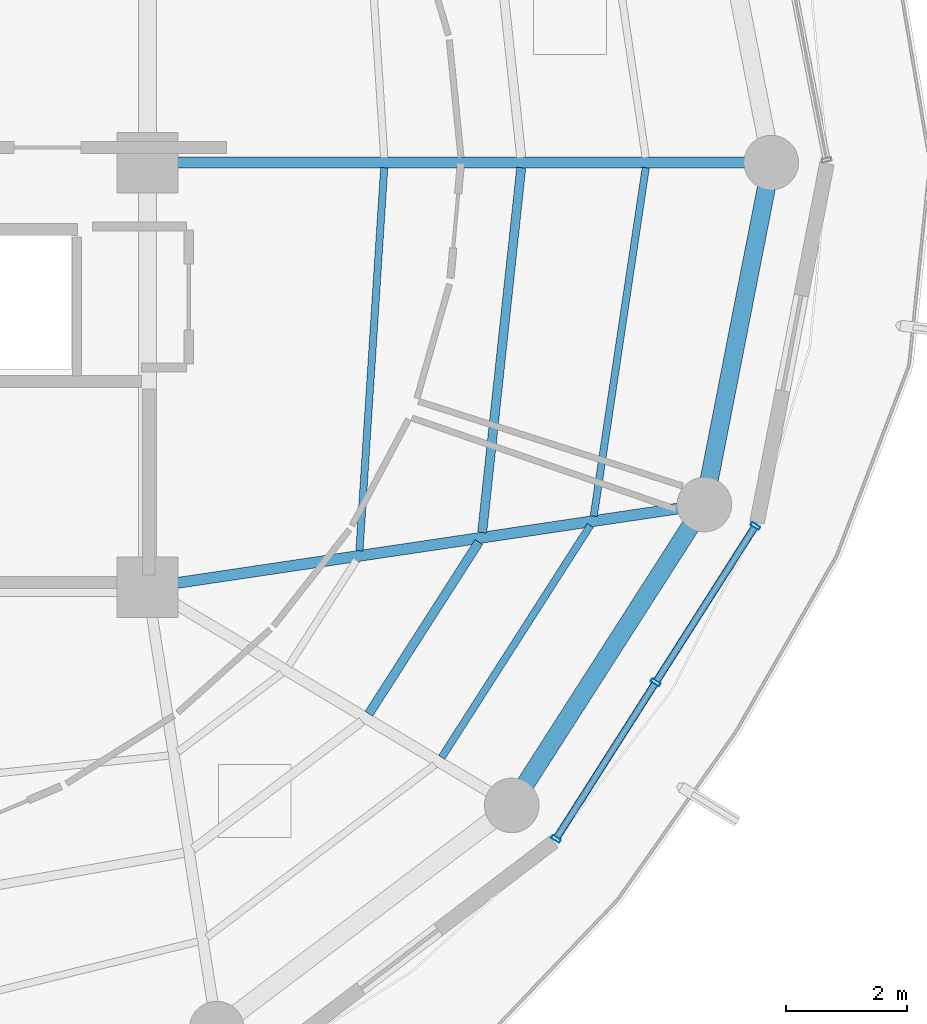
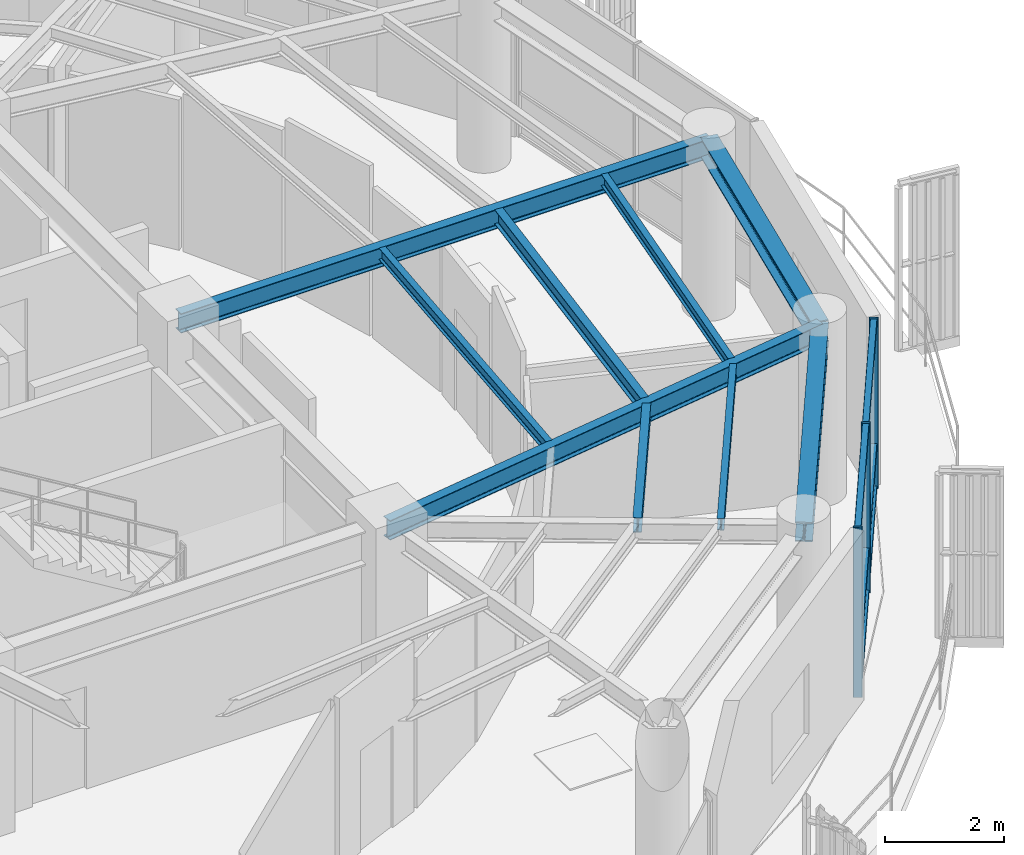
# One storey, part 10 of 23: 9 beams, 9 members, 1 element without a shape of its own.
"""IFC4 building model written with IfcOpenShell, lengths in metres."""

from ifc_helpers import new_model, si_unit, direction, frame, origin, origin_2d, place, context, subcontext, project, spatial, hollow_rectangle, i_section, extrude, material, layer, layer_set, material_profile, profile_set, type_object, element, aggregate, save


model = new_model("IFC4")

# Units and contexts
model_context = context("Model", 3, precision=1e-05, world=origin(), true_north=direction((0.0, 1.0)))
body_context = subcontext(model_context, "Body", "Model", "MODEL_VIEW")
ifc_project = project(units=[si_unit("LENGTHUNIT", "METRE"), si_unit("AREAUNIT", "SQUARE_METRE"), si_unit("VOLUMEUNIT", "CUBIC_METRE"), si_unit("PLANEANGLEUNIT", "RADIAN"), si_unit("MASSUNIT", "GRAM", prefix="KILO")], contexts=[model_context])

# Site, building, storey
site_placement = place(None, origin())
site = spatial("IfcSite", under=ifc_project, at=site_placement, CompositionType="ELEMENT")
building_placement = place(site_placement, origin())
building = spatial("IfcBuilding", under=site, at=building_placement, Name="Kelanora Arch Commons", CompositionType="ELEMENT")
storey_placement = place(building_placement, frame((0.0, 0.0, 286.199951171875)))
storey = spatial("IfcBuildingStorey", under=building, at=storey_placement, Name="L73", CompositionType="ELEMENT", Elevation=286.199951171875)

# Beams
ifc_material_1 = material(Name="Steel S355", Category="steel")
ifc_material_profile_1 = material_profile(ifc_material_1, i_section(OverallWidth=0.14990234375, OverallDepth=0.300048828125, WebThickness=0.007080078125, FlangeThickness=0.0107421875, FilletRadius=0.014892578125, at=origin_2d()), Name="IPE300")
ifc_profile_set_1 = profile_set([ifc_material_profile_1], Name="Steel S355")
beam_type_1 = type_object("IfcBeamType", Name="BM-JST-01", PredefinedType="JOIST", material=ifc_profile_set_1)
beam_1_placement = place(storey_placement, frame((85.647705078125, 48.915771484375, 3.340087890625), z_axis=(0.539321586177, 0.842099891155, 0.0), x_axis=(-0.842099891155, 0.539321586177, 0.0)))
element("IfcBeam", 1, at=beam_1_placement, inside=storey, type_object=beam_type_1, Name="Secondary Chord Joist BJB-32 L73", PredefinedType="JOIST", context=body_context, shape_type="SweptSolid", body=[
    extrude(i_section(OverallWidth=0.14990234375, OverallDepth=0.300048828125, WebThickness=0.007080078125, FlangeThickness=0.0107421875, FilletRadius=0.014892578125, at=origin_2d()), origin(), (0.0, 0.0, 1.0), 3.361572265625),
])
beam_2_placement = place(storey_placement, frame((87.515625, 51.902587890625, 3.340087890625), z_axis=(0.106380594087, 0.994325484538, 0.0), x_axis=(-0.994325484538, 0.106380594087, 0.0)))
element("IfcBeam", 2, at=beam_2_placement, inside=storey, type_object=beam_type_1, Name="Secondary Chord Joist BJB-34 L73", PredefinedType="JOIST", context=body_context, shape_type="SweptSolid", body=[
    extrude(i_section(OverallWidth=0.14990234375, OverallDepth=0.300048828125, WebThickness=0.007080078125, FlangeThickness=0.0107421875, FilletRadius=0.014892578125, at=origin_2d()), origin(), (0.0, 0.0, 1.0), 6.04736328125),
])
ifc_material_profile_2 = material_profile(ifc_material_1, i_section(OverallWidth=0.1201171875, OverallDepth=0.239990234375, WebThickness=0.006103515625, FlangeThickness=0.009765625, FilletRadius=0.014892578125, at=origin_2d()), Name="IPE240")
ifc_profile_set_2 = profile_set([ifc_material_profile_2], Name="Steel S355")
beam_type_2 = type_object("IfcBeamType", Name="BM-JST-02", PredefinedType="JOIST", material=ifc_profile_set_2)
beam_3_placement = place(storey_placement, frame((86.848388671875, 48.197021484375, 3.3701171875), z_axis=(0.539288735289, 0.842120929552, 0.0), x_axis=(-0.842120929552, 0.539288735289, 0.0)))
element("IfcBeam", 3, at=beam_3_placement, inside=storey, type_object=beam_type_2, Name="Secondary Chord Joist BJC-32 L73", PredefinedType="JOIST", context=body_context, shape_type="SweptSolid", body=[
    extrude(i_section(OverallWidth=0.1201171875, OverallDepth=0.239990234375, WebThickness=0.006103515625, FlangeThickness=0.009765625, FilletRadius=0.014892578125, at=origin_2d()), origin(), (0.0, 0.0, 1.0), 4.538818359375),
])
beam_4_placement = place(storey_placement, frame((85.492919921875, 51.60302734375, 3.3701171875), z_axis=(0.064495107978, 0.99791802321, 0.0), x_axis=(-0.99791802321, 0.064495107978, 0.0)))
element("IfcBeam", 4, at=beam_4_placement, inside=storey, type_object=beam_type_2, Name="Secondary Chord Joist BJA-34 L73", PredefinedType="JOIST", context=body_context, shape_type="SweptSolid", body=[
    extrude(i_section(OverallWidth=0.1201171875, OverallDepth=0.239990234375, WebThickness=0.006103515625, FlangeThickness=0.009765625, FilletRadius=0.014892578125, at=origin_2d()), origin(), (0.0, 0.0, 1.0), 6.325439453125),
])
beam_5_placement = place(storey_placement, frame((89.3544921875, 52.1748046875, 3.3701171875), z_axis=(0.14762470282, 0.989043450571, 0.0), x_axis=(-0.989043450571, 0.14762470282, 0.0)))
element("IfcBeam", 5, at=beam_5_placement, inside=storey, type_object=beam_type_2, Name="Secondary Chord Joist BJC-34 L73", PredefinedType="JOIST", context=body_context, shape_type="SweptSolid", body=[
    extrude(i_section(OverallWidth=0.1201171875, OverallDepth=0.239990234375, WebThickness=0.006103515625, FlangeThickness=0.009765625, FilletRadius=0.014892578125, at=origin_2d()), origin(), (0.0, 0.0, 1.0), 5.804931640625),
])
ifc_material_profile_3 = material_profile(ifc_material_1, i_section(OverallWidth=0.179931640625, OverallDepth=0.39990234375, WebThickness=0.008544921875, FlangeThickness=0.013427734375, FilletRadius=0.02099609375, at=origin_2d()), Name="IPE400")
ifc_profile_set_3 = profile_set([ifc_material_profile_3], Name="Steel S355")
beam_type_3 = type_object("IfcBeamType", Name="BM-RAD-Z5", PredefinedType="BEAM", material=ifc_profile_set_3)
beam_6_placement = place(storey_placement, frame((82.0, 58.0, 3.2900390625), z_axis=(1.0, 0.0, 0.0), x_axis=(0.0, 1.0, 0.0)))
element("IfcBeam", 6, at=beam_6_placement, inside=storey, type_object=beam_type_3, Name="Radial Floor Girder BR-00 L73", PredefinedType="BEAM", context=body_context, shape_type="SweptSolid", body=[
    extrude(i_section(OverallWidth=0.179931640625, OverallDepth=0.39990234375, WebThickness=0.008544921875, FlangeThickness=0.013427734375, FilletRadius=0.02099609375, at=origin_2d()), origin(), (0.0, 0.0, 1.0), 10.280029296875),
])
beam_7_placement = place(storey_placement, frame((82.0, 51.0, 3.2900390625), z_axis=(0.989142485564, 0.146959665395, 0.0), x_axis=(-0.146959665395, 0.989142485564, 0.0)))
element("IfcBeam", 7, at=beam_7_placement, inside=storey, type_object=beam_type_3, Name="Radial Floor Girder BR-34 L73", PredefinedType="BEAM", context=body_context, shape_type="SweptSolid", body=[
    extrude(i_section(OverallWidth=0.179931640625, OverallDepth=0.39990234375, WebThickness=0.008544921875, FlangeThickness=0.013427734375, FilletRadius=0.02099609375, at=origin_2d()), origin(), (0.0, 0.0, 1.0), 9.2783203125),
])
ifc_material_profile_4 = material_profile(ifc_material_1, i_section(OverallWidth=0.300048828125, OverallDepth=0.39990234375, WebThickness=0.013427734375, FlangeThickness=0.02392578125, FilletRadius=0.027099609375, at=origin_2d()), Name="HEB400")
ifc_profile_set_4 = profile_set([ifc_material_profile_4], Name="Steel S355")
beam_type_4 = type_object("IfcBeamType", Name="BM-SPN-Z4", PredefinedType="SPANDREL", material=ifc_profile_set_4)
beam_8_placement = place(storey_placement, frame((88.00341796875, 47.406982421875, 3.2900390625), z_axis=(0.539280851353, 0.842125978322, 0.0), x_axis=(-0.842125978322, 0.539280851353, 0.0)))
element("IfcBeam", 8, at=beam_8_placement, inside=storey, type_object=beam_type_4, Name="Perimeter Spandrel Beam BS-32 L73", PredefinedType="SPANDREL", context=body_context, shape_type="SweptSolid", body=[
    extrude(i_section(OverallWidth=0.300048828125, OverallDepth=0.39990234375, WebThickness=0.013427734375, FlangeThickness=0.02392578125, FilletRadius=0.027099609375, at=origin_2d()), origin(), (0.0, 0.0, 1.0), 5.8857421875),
])
beam_9_placement = place(storey_placement, frame((91.177490234375, 52.363525390625, 3.2900390625), z_axis=(0.191969774604, 0.981400838413, 0.0), x_axis=(-0.981400838413, 0.191969774604, 0.0)))
element("IfcBeam", 9, at=beam_9_placement, inside=storey, type_object=beam_type_4, Name="Perimeter Spandrel Beam BS-34 L73", PredefinedType="SPANDREL", context=body_context, shape_type="SweptSolid", body=[
    extrude(i_section(OverallWidth=0.300048828125, OverallDepth=0.39990234375, WebThickness=0.013427734375, FlangeThickness=0.02392578125, FilletRadius=0.027099609375, at=origin_2d()), origin(), (0.0, 0.0, 1.0), 5.743408203125),
])

# Curtain wall, members
ifc_material_2 = material(Name="Terracotta ceramic-fritted low-E glass and aluminium", Category="masonry")
ifc_layer = layer(ifc_material_2, 0.18994140625)
ifc_layer_set = layer_set([ifc_layer], Name="Terracotta ceramic-fritted low-E glass and aluminium")
curtain_wall_type = type_object("IfcCurtainWallType", Name="CW-SYS-03", PredefinedType="NOTDEFINED", material=ifc_layer_set)
curtain_wall_placement = place(storey_placement, origin())
curtain_wall = element("IfcCurtainWall", 10, at=curtain_wall_placement, inside=storey, type_object=curtain_wall_type, Name="Unitised Curtain Wall L73-B16", PredefinedType="NOTDEFINED")
ifc_material_3 = material(Name="Powder-coated aluminium terracotta", Category="masonry")
ifc_material_profile_5 = material_profile(ifc_material_3, hollow_rectangle(XDim=0.159912109375, YDim=0.06005859375, WallThickness=0.0048828125, InnerFilletRadius=0.0048828125, OuterFilletRadius=0.010009765625, at=origin_2d()), Name="CWM160x60")
ifc_profile_set_5 = profile_set([ifc_material_profile_5], Name="Powder-coated aluminium terracotta")
member_type_1 = type_object("IfcMemberType", Name="CWM-STD", PredefinedType="MULLION", material=ifc_profile_set_5)
member_1_placement = place(storey_placement, frame((88.732421875, 46.853515625, 0.0), z_axis=(0.0, 0.0, 1.0), x_axis=(-0.843391314545, 0.537299814397, 0.0)))
member_1 = element("IfcMember", 11, at=member_1_placement, type_object=member_type_1, Name="CW-03 mullion 1", PredefinedType="MULLION", context=body_context, shape_type="SweptSolid", body=[
    extrude(hollow_rectangle(XDim=0.159912109375, YDim=0.06005859375, WallThickness=0.0048828125, InnerFilletRadius=0.0048828125, OuterFilletRadius=0.010009765625, at=origin_2d()), origin(), (0.0, 0.0, 1.0), 3.47509765625),
])
member_2_placement = place(storey_placement, frame((90.375, 49.43212890625, 0.0), z_axis=(0.0, 0.0, 1.0), x_axis=(-0.843391314545, 0.537299814397, 0.0)))
member_2 = element("IfcMember", 12, at=member_2_placement, type_object=member_type_1, Name="CW-03 mullion 2", PredefinedType="MULLION", context=body_context, shape_type="SweptSolid", body=[
    extrude(hollow_rectangle(XDim=0.159912109375, YDim=0.06005859375, WallThickness=0.0048828125, InnerFilletRadius=0.0048828125, OuterFilletRadius=0.010009765625, at=origin_2d()), origin(), (0.0, 0.0, 1.0), 3.47509765625),
])
member_3_placement = place(storey_placement, frame((92.017822265625, 52.0107421875, 0.0), z_axis=(0.0, 0.0, 1.0), x_axis=(-0.843391314545, 0.537299814397, 0.0)))
member_3 = element("IfcMember", 13, at=member_3_placement, type_object=member_type_1, Name="CW-03 mullion 3", PredefinedType="MULLION", context=body_context, shape_type="SweptSolid", body=[
    extrude(hollow_rectangle(XDim=0.159912109375, YDim=0.06005859375, WallThickness=0.0048828125, InnerFilletRadius=0.0048828125, OuterFilletRadius=0.010009765625, at=origin_2d()), origin(), (0.0, 0.0, 1.0), 3.47509765625),
])
ifc_material_profile_6 = material_profile(ifc_material_3, hollow_rectangle(XDim=0.1201171875, YDim=0.06005859375, WallThickness=0.0048828125, InnerFilletRadius=0.0048828125, OuterFilletRadius=0.010009765625, at=origin_2d()), Name="CWT120x60")
ifc_profile_set_6 = profile_set([ifc_material_profile_6], Name="Powder-coated aluminium terracotta")
member_type_2 = type_object("IfcMemberType", Name="CWT-STD", PredefinedType="USERDEFINED", material=ifc_profile_set_6)
member_4_placement = place(storey_placement, frame((88.74853515625, 46.87890625, 0.030029296875), z_axis=(0.537286543791, 0.84339976871, 0.0), x_axis=(-0.84339976871, 0.537286543791, 0.0)))
member_4 = element("IfcMember", 14, at=member_4_placement, type_object=member_type_2, Name="CW-03 transom 1.1", ObjectType="TRANSOM", PredefinedType="USERDEFINED", context=body_context, shape_type="SweptSolid", body=[
    extrude(hollow_rectangle(XDim=0.1201171875, YDim=0.06005859375, WallThickness=0.0048828125, InnerFilletRadius=0.0048828125, OuterFilletRadius=0.010009765625, at=origin_2d()), origin(), (0.0, 0.0, 1.0), 2.997314453125),
])
member_5_placement = place(storey_placement, frame((88.74853515625, 46.87890625, 0.900146484375), z_axis=(0.537286543791, 0.84339976871, 0.0), x_axis=(-0.84339976871, 0.537286543791, 0.0)))
member_5 = element("IfcMember", 15, at=member_5_placement, type_object=member_type_2, Name="CW-03 transom 1.2", ObjectType="TRANSOM", PredefinedType="USERDEFINED", context=body_context, shape_type="SweptSolid", body=[
    extrude(hollow_rectangle(XDim=0.1201171875, YDim=0.06005859375, WallThickness=0.0048828125, InnerFilletRadius=0.0048828125, OuterFilletRadius=0.010009765625, at=origin_2d()), origin(), (0.0, 0.0, 1.0), 2.997314453125),
])
member_6_placement = place(storey_placement, frame((88.74853515625, 46.87890625, 3.445068359375), z_axis=(0.537286543791, 0.84339976871, 0.0), x_axis=(-0.84339976871, 0.537286543791, 0.0)))
member_6 = element("IfcMember", 16, at=member_6_placement, type_object=member_type_2, Name="CW-03 transom 1.3", ObjectType="TRANSOM", PredefinedType="USERDEFINED", context=body_context, shape_type="SweptSolid", body=[
    extrude(hollow_rectangle(XDim=0.1201171875, YDim=0.06005859375, WallThickness=0.0048828125, InnerFilletRadius=0.0048828125, OuterFilletRadius=0.010009765625, at=origin_2d()), origin(), (0.0, 0.0, 1.0), 2.997314453125),
])
member_7_placement = place(storey_placement, frame((90.39111328125, 49.45751953125, 0.030029296875), z_axis=(0.537307571338, 0.843386372775, 0.0), x_axis=(-0.843386372775, 0.537307571338, 0.0)))
member_7 = element("IfcMember", 17, at=member_7_placement, type_object=member_type_2, Name="CW-03 transom 2.1", ObjectType="TRANSOM", PredefinedType="USERDEFINED", context=body_context, shape_type="SweptSolid", body=[
    extrude(hollow_rectangle(XDim=0.1201171875, YDim=0.06005859375, WallThickness=0.0048828125, InnerFilletRadius=0.0048828125, OuterFilletRadius=0.010009765625, at=origin_2d()), origin(), (0.0, 0.0, 1.0), 2.99755859375),
])
member_8_placement = place(storey_placement, frame((90.39111328125, 49.45751953125, 0.900146484375), z_axis=(0.537307571338, 0.843386372775, 0.0), x_axis=(-0.843386372775, 0.537307571338, 0.0)))
member_8 = element("IfcMember", 18, at=member_8_placement, type_object=member_type_2, Name="CW-03 transom 2.2", ObjectType="TRANSOM", PredefinedType="USERDEFINED", context=body_context, shape_type="SweptSolid", body=[
    extrude(hollow_rectangle(XDim=0.1201171875, YDim=0.06005859375, WallThickness=0.0048828125, InnerFilletRadius=0.0048828125, OuterFilletRadius=0.010009765625, at=origin_2d()), origin(), (0.0, 0.0, 1.0), 2.99755859375),
])
member_9_placement = place(storey_placement, frame((90.39111328125, 49.45751953125, 3.445068359375), z_axis=(0.537307571338, 0.843386372775, 0.0), x_axis=(-0.843386372775, 0.537307571338, 0.0)))
member_9 = element("IfcMember", 19, at=member_9_placement, type_object=member_type_2, Name="CW-03 transom 2.3", ObjectType="TRANSOM", PredefinedType="USERDEFINED", context=body_context, shape_type="SweptSolid", body=[
    extrude(hollow_rectangle(XDim=0.1201171875, YDim=0.06005859375, WallThickness=0.0048828125, InnerFilletRadius=0.0048828125, OuterFilletRadius=0.010009765625, at=origin_2d()), origin(), (0.0, 0.0, 1.0), 2.99755859375),
])
aggregate(curtain_wall, [member_1, member_2, member_3, member_4, member_5, member_6, member_7, member_8, member_9])

save(model, "model.ifc")
